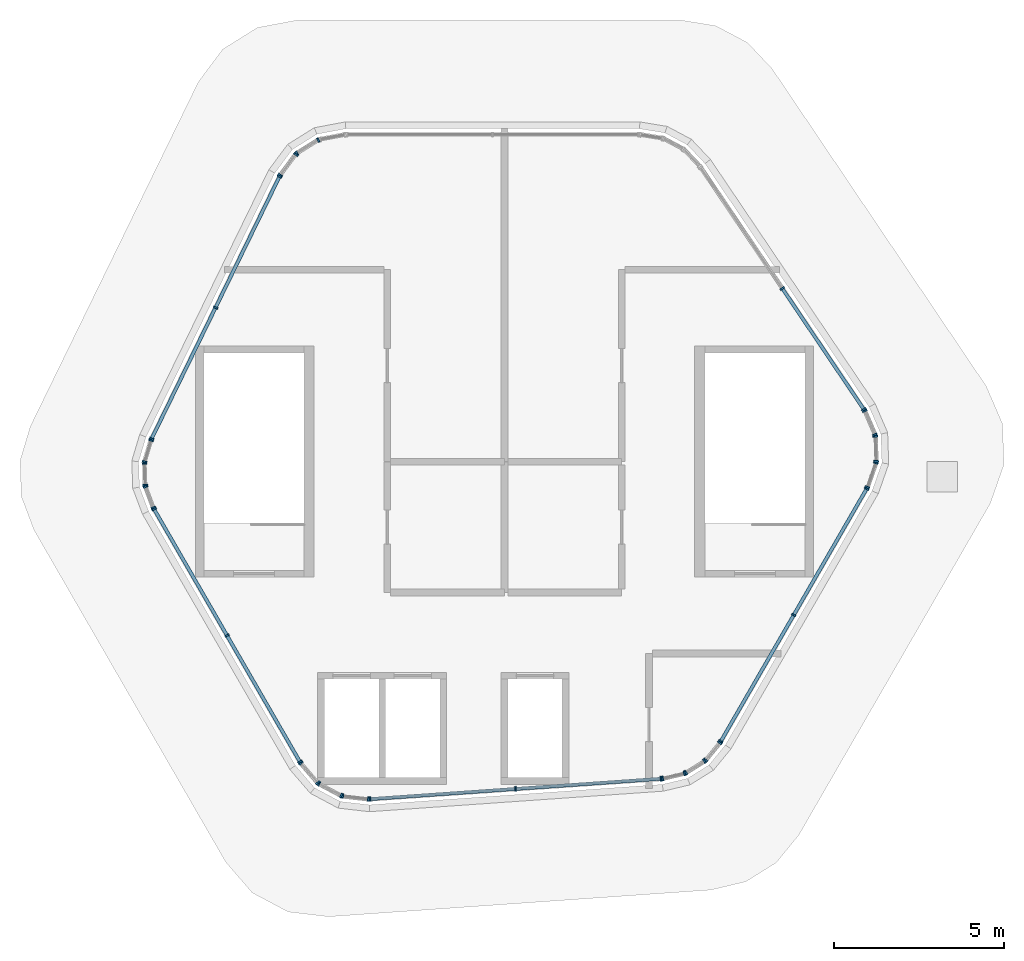
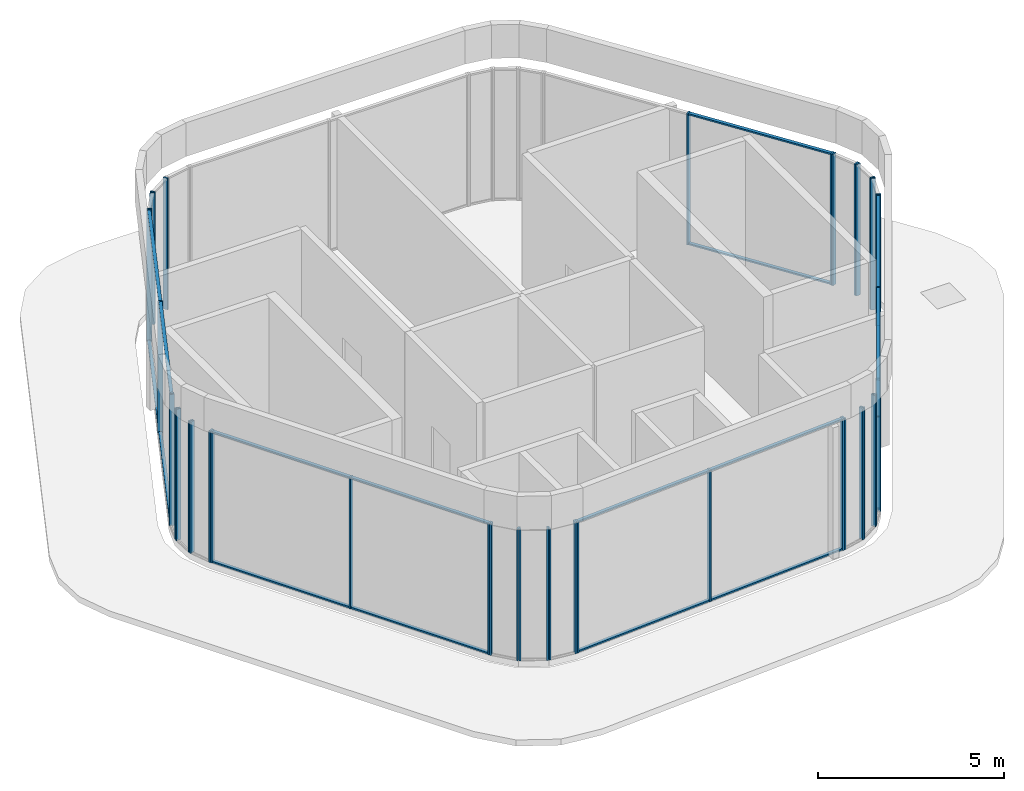
# One storey, part 1 of 6: 60 members, 19 elements without a shape of their own.
"""IFC4 building model written with IfcOpenShell, lengths in metres."""

from ifc_helpers import new_model, si_unit, direction, frame, origin, origin_2d, place, context, subcontext, project, spatial, rectangle, extrude, material, material_profile, profile_set, type_object, element, aggregate, save


model = new_model("IFC4")

# Units and contexts
model_context = context("Model", 3, precision=1e-05, world=origin(), true_north=direction((0.0, 1.0)))
body_context = subcontext(model_context, "Body", "Model", "MODEL_VIEW")
ifc_project = project(units=[si_unit("LENGTHUNIT", "METRE"), si_unit("AREAUNIT", "SQUARE_METRE"), si_unit("VOLUMEUNIT", "CUBIC_METRE"), si_unit("PLANEANGLEUNIT", "RADIAN"), si_unit("MASSUNIT", "GRAM", prefix="KILO")], contexts=[model_context])

# Site, building, storey
site_placement = place(None, origin())
site = spatial("IfcSite", under=ifc_project, at=site_placement, CompositionType="ELEMENT")
building_placement = place(site_placement, origin())
building = spatial("IfcBuilding", under=site, at=building_placement, Name="Tarnside Tower", CompositionType="ELEMENT")
storey_placement = place(building_placement, frame((0.0, 0.0, 406.199951171875)))
storey = spatial("IfcBuildingStorey", under=building, at=storey_placement, Name="L96", CompositionType="ELEMENT", Elevation=406.199951171875)

# Curtain wall, members
ifc_material_1 = material(Name="Crown glazing wall", Category="glass")
curtain_wall_type = type_object("IfcCurtainWallType", Name="Crown glazing wall", PredefinedType="NOTDEFINED", material=ifc_material_1)
curtain_wall_1_placement = place(storey_placement, origin())
curtain_wall_1 = element("IfcCurtainWall", 1, at=curtain_wall_1_placement, inside=storey, type_object=curtain_wall_type, Name="Crown glazing L96 04", PredefinedType="NOTDEFINED")
ifc_material_2 = material(Name="Aluminium alloy 6063", Category="aluminium")
ifc_material_profile_1 = material_profile(ifc_material_2, rectangle(XDim=0.139892578125, YDim=0.050048828125, at=origin_2d()), Name="Crown glazing mullion 50 x 140")
ifc_profile_set_1 = profile_set([ifc_material_profile_1], Name="Aluminium alloy 6063")
member_type_1 = type_object("IfcMemberType", Name="Crown glazing mullion 50 x 140", PredefinedType="MULLION", material=ifc_profile_set_1)
member_1_placement = place(storey_placement, frame((8.17822265625, 5.096435546875, 0.0), z_axis=(0.0, 0.0, 1.0), x_axis=(0.829037572575, 0.559192903442, 0.0)))
member_1 = element("IfcMember", 2, at=member_1_placement, type_object=member_type_1, Name="CW6 mullion 2", PredefinedType="MULLION", context=body_context, shape_type="SweptSolid", body=[
    extrude(rectangle(XDim=0.139892578125, YDim=0.050048828125, at=origin_2d()), origin(), (0.0, 0.0, 1.0), 4.300048828125),
])
member_2_placement = place(storey_placement, frame((10.578857421875, 1.53759765625, 0.0), z_axis=(0.0, 0.0, 1.0), x_axis=(0.829037572575, 0.559192903442, 0.0)))
member_2 = element("IfcMember", 3, at=member_2_placement, type_object=member_type_1, Name="CW6 mullion 3", PredefinedType="MULLION", context=body_context, shape_type="SweptSolid", body=[
    extrude(rectangle(XDim=0.139892578125, YDim=0.050048828125, at=origin_2d()), origin(), (0.0, 0.0, 1.0), 4.300048828125),
])

curtain_wall_2_placement = place(storey_placement, origin())
curtain_wall_2 = element("IfcCurtainWall", 4, at=curtain_wall_2_placement, inside=storey, type_object=curtain_wall_type, Name="Crown glazing L96 05", PredefinedType="NOTDEFINED")
member_3_placement = place(storey_placement, frame((10.602783203125, 1.493896484375, 0.0), z_axis=(0.0, 0.0, 1.0), x_axis=(0.918216107, 0.396079765761, 0.0)))
member_3 = element("IfcMember", 5, at=member_3_placement, type_object=member_type_1, Name="CW6 mullion 1", PredefinedType="MULLION", context=body_context, shape_type="SweptSolid", body=[
    extrude(rectangle(XDim=0.139892578125, YDim=0.050048828125, at=origin_2d()), origin(), (0.0, 0.0, 1.0), 4.300048828125),
])
member_4_placement = place(storey_placement, frame((10.90283203125, 0.7978515625, 0.0), z_axis=(0.0, 0.0, 1.0), x_axis=(0.918216107, 0.396079765761, 0.0)))
member_4 = element("IfcMember", 6, at=member_4_placement, type_object=member_type_1, Name="CW6 mullion 2", PredefinedType="MULLION", context=body_context, shape_type="SweptSolid", body=[
    extrude(rectangle(XDim=0.139892578125, YDim=0.050048828125, at=origin_2d()), origin(), (0.0, 0.0, 1.0), 4.300048828125),
])
aggregate(curtain_wall_2, [member_3, member_4])

curtain_wall_3_placement = place(storey_placement, origin())
curtain_wall_3 = element("IfcCurtainWall", 7, at=curtain_wall_3_placement, inside=storey, type_object=curtain_wall_type, Name="Crown glazing L96 06", PredefinedType="NOTDEFINED")
member_5_placement = place(storey_placement, frame((10.913818359375, 0.749755859375, 0.0), z_axis=(0.0, 0.0, 1.0), x_axis=(0.99939082704, 0.034899496092, 0.0)))
member_5 = element("IfcMember", 8, at=member_5_placement, type_object=member_type_1, Name="CW6 mullion 1", PredefinedType="MULLION", context=body_context, shape_type="SweptSolid", body=[
    extrude(rectangle(XDim=0.139892578125, YDim=0.050048828125, at=origin_2d()), origin(), (0.0, 0.0, 1.0), 4.300048828125),
])
member_6_placement = place(storey_placement, frame((10.939453125, 0.01318359375, 0.0), z_axis=(0.0, 0.0, 1.0), x_axis=(0.99939082704, 0.034899496092, 0.0)))
member_6 = element("IfcMember", 9, at=member_6_placement, type_object=member_type_1, Name="CW6 mullion 2", PredefinedType="MULLION", context=body_context, shape_type="SweptSolid", body=[
    extrude(rectangle(XDim=0.139892578125, YDim=0.050048828125, at=origin_2d()), origin(), (0.0, 0.0, 1.0), 4.300048828125),
])
aggregate(curtain_wall_3, [member_5, member_6])

curtain_wall_4_placement = place(storey_placement, origin())
curtain_wall_4 = element("IfcCurtainWall", 10, at=curtain_wall_4_placement, inside=storey, type_object=curtain_wall_type, Name="Crown glazing L96 07", PredefinedType="NOTDEFINED")
member_7_placement = place(storey_placement, frame((10.93212890625, -0.035400390625, 0.0), z_axis=(0.0, 0.0, 1.0), x_axis=(0.943608506557, -0.331063417418, 0.0)))
member_7 = element("IfcMember", 11, at=member_7_placement, type_object=member_type_1, Name="CW6 mullion 1", PredefinedType="MULLION", context=body_context, shape_type="SweptSolid", body=[
    extrude(rectangle(XDim=0.139892578125, YDim=0.050048828125, at=origin_2d()), origin(), (0.0, 0.0, 1.0), 4.300048828125),
])
member_8_placement = place(storey_placement, frame((10.68115234375, -0.75048828125, 0.0), z_axis=(0.0, 0.0, 1.0), x_axis=(0.943608506557, -0.331063417418, 0.0)))
member_8 = element("IfcMember", 12, at=member_8_placement, type_object=member_type_1, Name="CW6 mullion 2", PredefinedType="MULLION", context=body_context, shape_type="SweptSolid", body=[
    extrude(rectangle(XDim=0.139892578125, YDim=0.050048828125, at=origin_2d()), origin(), (0.0, 0.0, 1.0), 4.300048828125),
])
aggregate(curtain_wall_4, [member_7, member_8])

curtain_wall_5_placement = place(storey_placement, origin())
curtain_wall_5 = element("IfcCurtainWall", 13, at=curtain_wall_5_placement, inside=storey, type_object=curtain_wall_type, Name="Crown glazing L96 08", PredefinedType="NOTDEFINED")
member_9_placement = place(storey_placement, frame((10.660400390625, -0.7958984375, 0.0), z_axis=(0.0, 0.0, 1.0), x_axis=(0.866025403776, -0.500000000015, 0.0)))
member_9 = element("IfcMember", 14, at=member_9_placement, type_object=member_type_1, Name="CW6 mullion 1", PredefinedType="MULLION", context=body_context, shape_type="SweptSolid", body=[
    extrude(rectangle(XDim=0.139892578125, YDim=0.050048828125, at=origin_2d()), origin(), (0.0, 0.0, 1.0), 4.300048828125),
])
member_10_placement = place(storey_placement, frame((8.513916015625, -4.513671875, 0.0), z_axis=(0.0, 0.0, 1.0), x_axis=(0.866025403776, -0.500000000015, 0.0)))
member_10 = element("IfcMember", 15, at=member_10_placement, type_object=member_type_1, Name="CW6 mullion 2", PredefinedType="MULLION", context=body_context, shape_type="SweptSolid", body=[
    extrude(rectangle(XDim=0.139892578125, YDim=0.050048828125, at=origin_2d()), origin(), (0.0, 0.0, 1.0), 4.300048828125),
])
member_11_placement = place(storey_placement, frame((6.367431640625, -8.2314453125, 0.0), z_axis=(0.0, 0.0, 1.0), x_axis=(0.866025403776, -0.500000000015, 0.0)))
member_11 = element("IfcMember", 16, at=member_11_placement, type_object=member_type_1, Name="CW6 mullion 3", PredefinedType="MULLION", context=body_context, shape_type="SweptSolid", body=[
    extrude(rectangle(XDim=0.139892578125, YDim=0.050048828125, at=origin_2d()), origin(), (0.0, 0.0, 1.0), 4.300048828125),
])

curtain_wall_6_placement = place(storey_placement, origin())
curtain_wall_6 = element("IfcCurtainWall", 17, at=curtain_wall_6_placement, inside=storey, type_object=curtain_wall_type, Name="Crown glazing L96 09", PredefinedType="NOTDEFINED")
member_12_placement = place(storey_placement, frame((6.339111328125, -8.272216796875, 0.0), z_axis=(0.0, 0.0, 1.0), x_axis=(0.773471592959, -0.633830967124, 0.0)))
member_12 = element("IfcMember", 18, at=member_12_placement, type_object=member_type_1, Name="CW6 mullion 1", PredefinedType="MULLION", context=body_context, shape_type="SweptSolid", body=[
    extrude(rectangle(XDim=0.139892578125, YDim=0.050048828125, at=origin_2d()), origin(), (0.0, 0.0, 1.0), 4.300048828125),
])
member_13_placement = place(storey_placement, frame((5.921875, -8.781494140625, 0.0), z_axis=(0.0, 0.0, 1.0), x_axis=(0.773471592959, -0.633830967124, 0.0)))
member_13 = element("IfcMember", 19, at=member_13_placement, type_object=member_type_1, Name="CW6 mullion 2", PredefinedType="MULLION", context=body_context, shape_type="SweptSolid", body=[
    extrude(rectangle(XDim=0.139892578125, YDim=0.050048828125, at=origin_2d()), origin(), (0.0, 0.0, 1.0), 4.300048828125),
])
aggregate(curtain_wall_6, [member_12, member_13])

curtain_wall_7_placement = place(storey_placement, origin())
curtain_wall_7 = element("IfcCurtainWall", 20, at=curtain_wall_7_placement, inside=storey, type_object=curtain_wall_type, Name="Crown glazing L96 10", PredefinedType="NOTDEFINED")
member_14_placement = place(storey_placement, frame((5.884765625, -8.81396484375, 0.0), z_axis=(0.0, 0.0, 1.0), x_axis=(0.529919264204, -0.848048096175, 0.0)))
member_14 = element("IfcMember", 21, at=member_14_placement, type_object=member_type_1, Name="CW6 mullion 1", PredefinedType="MULLION", context=body_context, shape_type="SweptSolid", body=[
    extrude(rectangle(XDim=0.139892578125, YDim=0.050048828125, at=origin_2d()), origin(), (0.0, 0.0, 1.0), 4.300048828125),
])
member_15_placement = place(storey_placement, frame((5.34228515625, -9.153076171875, 0.0), z_axis=(0.0, 0.0, 1.0), x_axis=(0.529919264204, -0.848048096175, 0.0)))
member_15 = element("IfcMember", 22, at=member_15_placement, type_object=member_type_1, Name="CW6 mullion 2", PredefinedType="MULLION", context=body_context, shape_type="SweptSolid", body=[
    extrude(rectangle(XDim=0.139892578125, YDim=0.050048828125, at=origin_2d()), origin(), (0.0, 0.0, 1.0), 4.300048828125),
])
aggregate(curtain_wall_7, [member_14, member_15])

curtain_wall_8_placement = place(storey_placement, origin())
curtain_wall_8 = element("IfcCurtainWall", 23, at=curtain_wall_8_placement, inside=storey, type_object=curtain_wall_type, Name="Crown glazing L96 11", PredefinedType="NOTDEFINED")
member_16_placement = place(storey_placement, frame((5.296630859375, -9.172119140625, 0.0), z_axis=(0.0, 0.0, 1.0), x_axis=(0.230615870108, -0.97304487073, 0.0)))
member_16 = element("IfcMember", 24, at=member_16_placement, type_object=member_type_1, Name="CW6 mullion 1", PredefinedType="MULLION", context=body_context, shape_type="SweptSolid", body=[
    extrude(rectangle(XDim=0.139892578125, YDim=0.050048828125, at=origin_2d()), origin(), (0.0, 0.0, 1.0), 4.300048828125),
])
member_17_placement = place(storey_placement, frame((4.65625, -9.323974609375, 0.0), z_axis=(0.0, 0.0, 1.0), x_axis=(0.230615870108, -0.97304487073, 0.0)))
member_17 = element("IfcMember", 25, at=member_17_placement, type_object=member_type_1, Name="CW6 mullion 2", PredefinedType="MULLION", context=body_context, shape_type="SweptSolid", body=[
    extrude(rectangle(XDim=0.139892578125, YDim=0.050048828125, at=origin_2d()), origin(), (0.0, 0.0, 1.0), 4.300048828125),
])
aggregate(curtain_wall_8, [member_16, member_17])

curtain_wall_9_placement = place(storey_placement, origin())
curtain_wall_9 = element("IfcCurtainWall", 26, at=curtain_wall_9_placement, inside=storey, type_object=curtain_wall_type, Name="Crown glazing L96 12", PredefinedType="NOTDEFINED")
member_18_placement = place(storey_placement, frame((4.60693359375, -9.331298828125, 0.0), z_axis=(0.0, 0.0, 1.0), x_axis=(0.069756473779, -0.997564050257, 0.0)))
member_18 = element("IfcMember", 27, at=member_18_placement, type_object=member_type_1, Name="CW6 mullion 1", PredefinedType="MULLION", context=body_context, shape_type="SweptSolid", body=[
    extrude(rectangle(XDim=0.139892578125, YDim=0.050048828125, at=origin_2d()), origin(), (0.0, 0.0, 1.0), 4.300048828125),
])
member_19_placement = place(storey_placement, frame((0.324462890625, -9.630859375, 0.0), z_axis=(0.0, 0.0, 1.0), x_axis=(0.069756473779, -0.997564050257, 0.0)))
member_19 = element("IfcMember", 28, at=member_19_placement, type_object=member_type_1, Name="CW6 mullion 2", PredefinedType="MULLION", context=body_context, shape_type="SweptSolid", body=[
    extrude(rectangle(XDim=0.139892578125, YDim=0.050048828125, at=origin_2d()), origin(), (0.0, 0.0, 1.0), 4.300048828125),
])
member_20_placement = place(storey_placement, frame((-3.9580078125, -9.93017578125, 0.0), z_axis=(0.0, 0.0, 1.0), x_axis=(0.069756473779, -0.997564050257, 0.0)))
member_20 = element("IfcMember", 29, at=member_20_placement, type_object=member_type_1, Name="CW6 mullion 3", PredefinedType="MULLION", context=body_context, shape_type="SweptSolid", body=[
    extrude(rectangle(XDim=0.139892578125, YDim=0.050048828125, at=origin_2d()), origin(), (0.0, 0.0, 1.0), 4.300048828125),
])

curtain_wall_10_placement = place(storey_placement, origin())
curtain_wall_10 = element("IfcCurtainWall", 30, at=curtain_wall_10_placement, inside=storey, type_object=curtain_wall_type, Name="Crown glazing L96 13", PredefinedType="NOTDEFINED")
member_21_placement = place(storey_placement, frame((-4.0078125, -9.92919921875, 0.0), z_axis=(0.0, 0.0, 1.0), x_axis=(-0.116092914235, -0.993238357729, 0.0)))
member_21 = element("IfcMember", 31, at=member_21_placement, type_object=member_type_1, Name="CW6 mullion 1", PredefinedType="MULLION", context=body_context, shape_type="SweptSolid", body=[
    extrude(rectangle(XDim=0.139892578125, YDim=0.050048828125, at=origin_2d()), origin(), (0.0, 0.0, 1.0), 4.300048828125),
])
member_22_placement = place(storey_placement, frame((-4.760498046875, -9.841064453125, 0.0), z_axis=(0.0, 0.0, 1.0), x_axis=(-0.116092914235, -0.993238357729, 0.0)))
member_22 = element("IfcMember", 32, at=member_22_placement, type_object=member_type_1, Name="CW6 mullion 2", PredefinedType="MULLION", context=body_context, shape_type="SweptSolid", body=[
    extrude(rectangle(XDim=0.139892578125, YDim=0.050048828125, at=origin_2d()), origin(), (0.0, 0.0, 1.0), 4.300048828125),
])
aggregate(curtain_wall_10, [member_21, member_22])

curtain_wall_11_placement = place(storey_placement, origin())
curtain_wall_11 = element("IfcCurtainWall", 33, at=curtain_wall_11_placement, inside=storey, type_object=curtain_wall_type, Name="Crown glazing L96 14", PredefinedType="NOTDEFINED")
member_23_placement = place(storey_placement, frame((-4.807373046875, -9.826416015625, 0.0), z_axis=(0.0, 0.0, 1.0), x_axis=(-0.469471562539, -0.88294759299, 0.0)))
member_23 = element("IfcMember", 34, at=member_23_placement, type_object=member_type_1, Name="CW6 mullion 1", PredefinedType="MULLION", context=body_context, shape_type="SweptSolid", body=[
    extrude(rectangle(XDim=0.139892578125, YDim=0.050048828125, at=origin_2d()), origin(), (0.0, 0.0, 1.0), 4.300048828125),
])
member_24_placement = place(storey_placement, frame((-5.458251953125, -9.48046875, 0.0), z_axis=(0.0, 0.0, 1.0), x_axis=(-0.469471562539, -0.88294759299, 0.0)))
member_24 = element("IfcMember", 35, at=member_24_placement, type_object=member_type_1, Name="CW6 mullion 2", PredefinedType="MULLION", context=body_context, shape_type="SweptSolid", body=[
    extrude(rectangle(XDim=0.139892578125, YDim=0.050048828125, at=origin_2d()), origin(), (0.0, 0.0, 1.0), 4.300048828125),
])
aggregate(curtain_wall_11, [member_23, member_24])

curtain_wall_12_placement = place(storey_placement, origin())
curtain_wall_12 = element("IfcCurtainWall", 36, at=curtain_wall_12_placement, inside=storey, type_object=curtain_wall_type, Name="Crown glazing L96 15", PredefinedType="NOTDEFINED")
member_25_placement = place(storey_placement, frame((-5.49658203125, -9.44970703125, 0.0), z_axis=(0.0, 0.0, 1.0), x_axis=(-0.758513583789, -0.65165722831, 0.0)))
member_25 = element("IfcMember", 37, at=member_25_placement, type_object=member_type_1, Name="CW6 mullion 1", PredefinedType="MULLION", context=body_context, shape_type="SweptSolid", body=[
    extrude(rectangle(XDim=0.139892578125, YDim=0.050048828125, at=origin_2d()), origin(), (0.0, 0.0, 1.0), 4.300048828125),
])
member_26_placement = place(storey_placement, frame((-5.990478515625, -8.874755859375, 0.0), z_axis=(0.0, 0.0, 1.0), x_axis=(-0.758513583789, -0.65165722831, 0.0)))
member_26 = element("IfcMember", 38, at=member_26_placement, type_object=member_type_1, Name="CW6 mullion 2", PredefinedType="MULLION", context=body_context, shape_type="SweptSolid", body=[
    extrude(rectangle(XDim=0.139892578125, YDim=0.050048828125, at=origin_2d()), origin(), (0.0, 0.0, 1.0), 4.300048828125),
])
aggregate(curtain_wall_12, [member_25, member_26])

curtain_wall_13_placement = place(storey_placement, origin())
curtain_wall_13 = element("IfcCurtainWall", 39, at=curtain_wall_13_placement, inside=storey, type_object=curtain_wall_type, Name="Crown glazing L96 16", PredefinedType="NOTDEFINED")
member_27_placement = place(storey_placement, frame((-6.019287109375, -8.834228515625, 0.0), z_axis=(0.0, 0.0, 1.0), x_axis=(-0.866025403776, -0.500000000015, 0.0)))
member_27 = element("IfcMember", 40, at=member_27_placement, type_object=member_type_1, Name="CW6 mullion 1", PredefinedType="MULLION", context=body_context, shape_type="SweptSolid", body=[
    extrude(rectangle(XDim=0.139892578125, YDim=0.050048828125, at=origin_2d()), origin(), (0.0, 0.0, 1.0), 4.300048828125),
])
member_28_placement = place(storey_placement, frame((-8.165771484375, -5.116455078125, 0.0), z_axis=(0.0, 0.0, 1.0), x_axis=(-0.866025403776, -0.500000000015, 0.0)))
member_28 = element("IfcMember", 41, at=member_28_placement, type_object=member_type_1, Name="CW6 mullion 2", PredefinedType="MULLION", context=body_context, shape_type="SweptSolid", body=[
    extrude(rectangle(XDim=0.139892578125, YDim=0.050048828125, at=origin_2d()), origin(), (0.0, 0.0, 1.0), 4.300048828125),
])
member_29_placement = place(storey_placement, frame((-10.312255859375, -1.398681640625, 0.0), z_axis=(0.0, 0.0, 1.0), x_axis=(-0.866025403776, -0.500000000015, 0.0)))
member_29 = element("IfcMember", 42, at=member_29_placement, type_object=member_type_1, Name="CW6 mullion 3", PredefinedType="MULLION", context=body_context, shape_type="SweptSolid", body=[
    extrude(rectangle(XDim=0.139892578125, YDim=0.050048828125, at=origin_2d()), origin(), (0.0, 0.0, 1.0), 4.300048828125),
])

curtain_wall_14_placement = place(storey_placement, origin())
curtain_wall_14 = element("IfcCurtainWall", 43, at=curtain_wall_14_placement, inside=storey, type_object=curtain_wall_type, Name="Crown glazing L96 17", PredefinedType="NOTDEFINED")
member_30_placement = place(storey_placement, frame((-10.33349609375, -1.353515625, 0.0), z_axis=(0.0, 0.0, 1.0), x_axis=(-0.935649515782, -0.352930564866, 0.0)))
member_30 = element("IfcMember", 44, at=member_30_placement, type_object=member_type_1, Name="CW6 mullion 1", PredefinedType="MULLION", context=body_context, shape_type="SweptSolid", body=[
    extrude(rectangle(XDim=0.139892578125, YDim=0.050048828125, at=origin_2d()), origin(), (0.0, 0.0, 1.0), 4.300048828125),
])
member_31_placement = place(storey_placement, frame((-10.56591796875, -0.73779296875, 0.0), z_axis=(0.0, 0.0, 1.0), x_axis=(-0.935649515782, -0.352930564866, 0.0)))
member_31 = element("IfcMember", 45, at=member_31_placement, type_object=member_type_1, Name="CW6 mullion 2", PredefinedType="MULLION", context=body_context, shape_type="SweptSolid", body=[
    extrude(rectangle(XDim=0.139892578125, YDim=0.050048828125, at=origin_2d()), origin(), (0.0, 0.0, 1.0), 4.300048828125),
])
aggregate(curtain_wall_14, [member_30, member_31])

curtain_wall_15_placement = place(storey_placement, origin())
curtain_wall_15 = element("IfcCurtainWall", 46, at=curtain_wall_15_placement, inside=storey, type_object=curtain_wall_type, Name="Crown glazing L96 18", PredefinedType="NOTDEFINED")
member_32_placement = place(storey_placement, frame((-10.575439453125, -0.689453125, 0.0), z_axis=(0.0, 0.0, 1.0), x_axis=(-0.999390827011, -0.034899496929, 0.0)))
member_32 = element("IfcMember", 47, at=member_32_placement, type_object=member_type_1, Name="CW6 mullion 1", PredefinedType="MULLION", context=body_context, shape_type="SweptSolid", body=[
    extrude(rectangle(XDim=0.139892578125, YDim=0.050048828125, at=origin_2d()), origin(), (0.0, 0.0, 1.0), 4.300048828125),
])
member_33_placement = place(storey_placement, frame((-10.597900390625, -0.050048828125, 0.0), z_axis=(0.0, 0.0, 1.0), x_axis=(-0.999390827011, -0.034899496929, 0.0)))
member_33 = element("IfcMember", 48, at=member_33_placement, type_object=member_type_1, Name="CW6 mullion 2", PredefinedType="MULLION", context=body_context, shape_type="SweptSolid", body=[
    extrude(rectangle(XDim=0.139892578125, YDim=0.050048828125, at=origin_2d()), origin(), (0.0, 0.0, 1.0), 4.300048828125),
])
aggregate(curtain_wall_15, [member_32, member_33])

curtain_wall_16_placement = place(storey_placement, origin())
curtain_wall_16 = element("IfcCurtainWall", 49, at=curtain_wall_16_placement, inside=storey, type_object=curtain_wall_type, Name="Crown glazing L96 19", PredefinedType="NOTDEFINED")
member_34_placement = place(storey_placement, frame((-10.591552734375, -0.0009765625, 0.0), z_axis=(0.0, 0.0, 1.0), x_axis=(-0.957989512324, 0.286803232683, 0.0)))
member_34 = element("IfcMember", 50, at=member_34_placement, type_object=member_type_1, Name="CW6 mullion 1", PredefinedType="MULLION", context=body_context, shape_type="SweptSolid", body=[
    extrude(rectangle(XDim=0.139892578125, YDim=0.050048828125, at=origin_2d()), origin(), (0.0, 0.0, 1.0), 4.300048828125),
])
member_35_placement = place(storey_placement, frame((-10.40283203125, 0.62939453125, 0.0), z_axis=(0.0, 0.0, 1.0), x_axis=(-0.957989512324, 0.286803232683, 0.0)))
member_35 = element("IfcMember", 51, at=member_35_placement, type_object=member_type_1, Name="CW6 mullion 2", PredefinedType="MULLION", context=body_context, shape_type="SweptSolid", body=[
    extrude(rectangle(XDim=0.139892578125, YDim=0.050048828125, at=origin_2d()), origin(), (0.0, 0.0, 1.0), 4.300048828125),
])
aggregate(curtain_wall_16, [member_34, member_35])

curtain_wall_17_placement = place(storey_placement, origin())
curtain_wall_17 = element("IfcCurtainWall", 52, at=curtain_wall_17_placement, inside=storey, type_object=curtain_wall_type, Name="Crown glazing L96 20", PredefinedType="NOTDEFINED")
member_36_placement = place(storey_placement, frame((-10.384765625, 0.67578125, 0.0), z_axis=(0.0, 0.0, 1.0), x_axis=(-0.898794046284, 0.43837114682, 0.0)))
member_36 = element("IfcMember", 53, at=member_36_placement, type_object=member_type_1, Name="CW6 mullion 1", PredefinedType="MULLION", context=body_context, shape_type="SweptSolid", body=[
    extrude(rectangle(XDim=0.139892578125, YDim=0.050048828125, at=origin_2d()), origin(), (0.0, 0.0, 1.0), 4.300048828125),
])
member_37_placement = place(storey_placement, frame((-8.502685546875, 4.534423828125, 0.0), z_axis=(0.0, 0.0, 1.0), x_axis=(-0.898794046284, 0.43837114682, 0.0)))
member_37 = element("IfcMember", 54, at=member_37_placement, type_object=member_type_1, Name="CW6 mullion 2", PredefinedType="MULLION", context=body_context, shape_type="SweptSolid", body=[
    extrude(rectangle(XDim=0.139892578125, YDim=0.050048828125, at=origin_2d()), origin(), (0.0, 0.0, 1.0), 4.300048828125),
])
member_38_placement = place(storey_placement, frame((-6.620849609375, 8.392822265625, 0.0), z_axis=(0.0, 0.0, 1.0), x_axis=(-0.898794046284, 0.43837114682, 0.0)))
member_38 = element("IfcMember", 55, at=member_38_placement, type_object=member_type_1, Name="CW6 mullion 3", PredefinedType="MULLION", context=body_context, shape_type="SweptSolid", body=[
    extrude(rectangle(XDim=0.139892578125, YDim=0.050048828125, at=origin_2d()), origin(), (0.0, 0.0, 1.0), 4.300048828125),
])

curtain_wall_18_placement = place(storey_placement, origin())
curtain_wall_18 = element("IfcCurtainWall", 56, at=curtain_wall_18_placement, inside=storey, type_object=curtain_wall_type, Name="Crown glazing L96 21", PredefinedType="NOTDEFINED")
member_39_placement = place(storey_placement, frame((-6.594970703125, 8.435302734375, 0.0), z_axis=(0.0, 0.0, 1.0), x_axis=(-0.802123192887, 0.597158591525, 0.0)))
member_39 = element("IfcMember", 57, at=member_39_placement, type_object=member_type_1, Name="CW6 mullion 1", PredefinedType="MULLION", context=body_context, shape_type="SweptSolid", body=[
    extrude(rectangle(XDim=0.139892578125, YDim=0.050048828125, at=origin_2d()), origin(), (0.0, 0.0, 1.0), 4.300048828125),
])
member_40_placement = place(storey_placement, frame((-6.142333984375, 9.043212890625, 0.0), z_axis=(0.0, 0.0, 1.0), x_axis=(-0.802123192887, 0.597158591525, 0.0)))
member_40 = element("IfcMember", 58, at=member_40_placement, type_object=member_type_1, Name="CW6 mullion 2", PredefinedType="MULLION", context=body_context, shape_type="SweptSolid", body=[
    extrude(rectangle(XDim=0.139892578125, YDim=0.050048828125, at=origin_2d()), origin(), (0.0, 0.0, 1.0), 4.300048828125),
])
aggregate(curtain_wall_18, [member_39, member_40])

curtain_wall_19_placement = place(storey_placement, origin())
curtain_wall_19 = element("IfcCurtainWall", 59, at=curtain_wall_19_placement, inside=storey, type_object=curtain_wall_type, Name="Crown glazing L96 22", PredefinedType="NOTDEFINED")
member_41_placement = place(storey_placement, frame((-6.106201171875, 9.07666015625, 0.0), z_axis=(0.0, 0.0, 1.0), x_axis=(-0.529919263878, 0.848048096378, 0.0)))
member_41 = element("IfcMember", 60, at=member_41_placement, type_object=member_type_1, Name="CW6 mullion 1", PredefinedType="MULLION", context=body_context, shape_type="SweptSolid", body=[
    extrude(rectangle(XDim=0.139892578125, YDim=0.050048828125, at=origin_2d()), origin(), (0.0, 0.0, 1.0), 4.300048828125),
])
member_42_placement = place(storey_placement, frame((-5.481201171875, 9.46728515625, 0.0), z_axis=(0.0, 0.0, 1.0), x_axis=(-0.529919263878, 0.848048096378, 0.0)))
member_42 = element("IfcMember", 61, at=member_42_placement, type_object=member_type_1, Name="CW6 mullion 2", PredefinedType="MULLION", context=body_context, shape_type="SweptSolid", body=[
    extrude(rectangle(XDim=0.139892578125, YDim=0.050048828125, at=origin_2d()), origin(), (0.0, 0.0, 1.0), 4.300048828125),
])
aggregate(curtain_wall_19, [member_41, member_42])

# Member
ifc_material_profile_2 = material_profile(ifc_material_2, rectangle(XDim=0.10009765625, YDim=0.050048828125, at=origin_2d()), Name="Crown glazing transom 50 x 100")
ifc_profile_set_2 = profile_set([ifc_material_profile_2], Name="Aluminium alloy 6063")
member_type_2 = type_object("IfcMemberType", Name="Crown glazing transom 50 x 100", PredefinedType="USERDEFINED", material=ifc_profile_set_2)
member_43_placement = place(storey_placement, frame((8.192138671875, 5.07568359375, 0.025146484375), z_axis=(0.559219845869, -0.829019399041, 0.0), x_axis=(0.829019399041, 0.559219845869, 0.0)))
member_43 = element("IfcMember", 62, at=member_43_placement, type_object=member_type_2, Name="CW6 transom 2.1", ObjectType="TRANSOM", PredefinedType="USERDEFINED", context=body_context, shape_type="SweptSolid", body=[
    extrude(rectangle(XDim=0.10009765625, YDim=0.050048828125, at=origin_2d()), origin(), (0.0, 0.0, 1.0), 4.2431640625),
])

member_44_placement = place(storey_placement, frame((8.192138671875, 5.07568359375, 4.275146484375), z_axis=(0.559219845869, -0.829019399041, 0.0), x_axis=(0.829019399041, 0.559219845869, 0.0)))
member_44 = element("IfcMember", 63, at=member_44_placement, type_object=member_type_2, Name="CW6 transom 2.2", ObjectType="TRANSOM", PredefinedType="USERDEFINED", context=body_context, shape_type="SweptSolid", body=[
    extrude(rectangle(XDim=0.10009765625, YDim=0.050048828125, at=origin_2d()), origin(), (0.0, 0.0, 1.0), 4.2431640625),
])

aggregate(curtain_wall_1, [member_1, member_2, member_43, member_44])

member_45_placement = place(storey_placement, frame((10.647705078125, -0.8173828125, 0.025146484375), z_axis=(-0.499969838311, -0.866042816943, 0.0), x_axis=(0.866042816943, -0.499969838311, 0.0)))
member_45 = element("IfcMember", 64, at=member_45_placement, type_object=member_type_2, Name="CW6 transom 1.1", ObjectType="TRANSOM", PredefinedType="USERDEFINED", context=body_context, shape_type="SweptSolid", body=[
    extrude(rectangle(XDim=0.10009765625, YDim=0.050048828125, at=origin_2d()), origin(), (0.0, 0.0, 1.0), 4.242919921875),
])

member_46_placement = place(storey_placement, frame((10.647705078125, -0.8173828125, 4.275146484375), z_axis=(-0.499969838311, -0.866042816943, 0.0), x_axis=(0.866042816943, -0.499969838311, 0.0)))
member_46 = element("IfcMember", 65, at=member_46_placement, type_object=member_type_2, Name="CW6 transom 1.2", ObjectType="TRANSOM", PredefinedType="USERDEFINED", context=body_context, shape_type="SweptSolid", body=[
    extrude(rectangle(XDim=0.10009765625, YDim=0.050048828125, at=origin_2d()), origin(), (0.0, 0.0, 1.0), 4.242919921875),
])

member_47_placement = place(storey_placement, frame((8.50146484375, -4.53515625, 0.025146484375), z_axis=(-0.500012993597, -0.866017901798, 0.0), x_axis=(0.866017901798, -0.500012993597, 0.0)))
member_47 = element("IfcMember", 66, at=member_47_placement, type_object=member_type_2, Name="CW6 transom 2.1", ObjectType="TRANSOM", PredefinedType="USERDEFINED", context=body_context, shape_type="SweptSolid", body=[
    extrude(rectangle(XDim=0.10009765625, YDim=0.050048828125, at=origin_2d()), origin(), (0.0, 0.0, 1.0), 4.2431640625),
])

member_48_placement = place(storey_placement, frame((8.50146484375, -4.53515625, 4.275146484375), z_axis=(-0.500012993597, -0.866017901798, 0.0), x_axis=(0.866017901798, -0.500012993597, 0.0)))
member_48 = element("IfcMember", 67, at=member_48_placement, type_object=member_type_2, Name="CW6 transom 2.2", ObjectType="TRANSOM", PredefinedType="USERDEFINED", context=body_context, shape_type="SweptSolid", body=[
    extrude(rectangle(XDim=0.10009765625, YDim=0.050048828125, at=origin_2d()), origin(), (0.0, 0.0, 1.0), 4.2431640625),
])

aggregate(curtain_wall_5, [member_9, member_10, member_11, member_45, member_46, member_47, member_48])

member_49_placement = place(storey_placement, frame((4.58203125, -9.3330078125, 0.025146484375), z_axis=(-0.997561331361, -0.069795344924, 0.0), x_axis=(0.069795344924, -0.997561331361, 0.0)))
member_49 = element("IfcMember", 68, at=member_49_placement, type_object=member_type_2, Name="CW6 transom 1.1", ObjectType="TRANSOM", PredefinedType="USERDEFINED", context=body_context, shape_type="SweptSolid", body=[
    extrude(rectangle(XDim=0.10009765625, YDim=0.050048828125, at=origin_2d()), origin(), (0.0, 0.0, 1.0), 4.242919921875),
])

member_50_placement = place(storey_placement, frame((4.58203125, -9.3330078125, 4.275146484375), z_axis=(-0.997561331361, -0.069795344924, 0.0), x_axis=(0.069795344924, -0.997561331361, 0.0)))
member_50 = element("IfcMember", 69, at=member_50_placement, type_object=member_type_2, Name="CW6 transom 1.2", ObjectType="TRANSOM", PredefinedType="USERDEFINED", context=body_context, shape_type="SweptSolid", body=[
    extrude(rectangle(XDim=0.10009765625, YDim=0.050048828125, at=origin_2d()), origin(), (0.0, 0.0, 1.0), 4.242919921875),
])

member_51_placement = place(storey_placement, frame((0.299560546875, -9.632568359375, 0.025146484375), z_axis=(-0.997565056063, -0.069742088599, 0.0), x_axis=(0.069742088599, -0.997565056063, 0.0)))
member_51 = element("IfcMember", 70, at=member_51_placement, type_object=member_type_2, Name="CW6 transom 2.1", ObjectType="TRANSOM", PredefinedType="USERDEFINED", context=body_context, shape_type="SweptSolid", body=[
    extrude(rectangle(XDim=0.10009765625, YDim=0.050048828125, at=origin_2d()), origin(), (0.0, 0.0, 1.0), 4.24267578125),
])

member_52_placement = place(storey_placement, frame((0.299560546875, -9.632568359375, 4.275146484375), z_axis=(-0.997565056063, -0.069742088599, 0.0), x_axis=(0.069742088599, -0.997565056063, 0.0)))
member_52 = element("IfcMember", 71, at=member_52_placement, type_object=member_type_2, Name="CW6 transom 2.2", ObjectType="TRANSOM", PredefinedType="USERDEFINED", context=body_context, shape_type="SweptSolid", body=[
    extrude(rectangle(XDim=0.10009765625, YDim=0.050048828125, at=origin_2d()), origin(), (0.0, 0.0, 1.0), 4.24267578125),
])

aggregate(curtain_wall_9, [member_18, member_19, member_20, member_49, member_50, member_51, member_52])

member_53_placement = place(storey_placement, frame((-6.03173828125, -8.8125, 0.025146484375), z_axis=(-0.500037910135, 0.866003515251, 0.0), x_axis=(-0.866003515251, -0.500037910135, 0.0)))
member_53 = element("IfcMember", 72, at=member_53_placement, type_object=member_type_2, Name="CW6 transom 1.1", ObjectType="TRANSOM", PredefinedType="USERDEFINED", context=body_context, shape_type="SweptSolid", body=[
    extrude(rectangle(XDim=0.10009765625, YDim=0.050048828125, at=origin_2d()), origin(), (0.0, 0.0, 1.0), 4.242919921875),
])

member_54_placement = place(storey_placement, frame((-6.03173828125, -8.8125, 4.275146484375), z_axis=(-0.500037910135, 0.866003515251, 0.0), x_axis=(-0.866003515251, -0.500037910135, 0.0)))
member_54 = element("IfcMember", 73, at=member_54_placement, type_object=member_type_2, Name="CW6 transom 1.2", ObjectType="TRANSOM", PredefinedType="USERDEFINED", context=body_context, shape_type="SweptSolid", body=[
    extrude(rectangle(XDim=0.10009765625, YDim=0.050048828125, at=origin_2d()), origin(), (0.0, 0.0, 1.0), 4.242919921875),
])

member_55_placement = place(storey_placement, frame((-8.17822265625, -5.0947265625, 0.025146484375), z_axis=(-0.500037910135, 0.866003515251, 0.0), x_axis=(-0.866003515251, -0.500037910135, 0.0)))
member_55 = element("IfcMember", 74, at=member_55_placement, type_object=member_type_2, Name="CW6 transom 2.1", ObjectType="TRANSOM", PredefinedType="USERDEFINED", context=body_context, shape_type="SweptSolid", body=[
    extrude(rectangle(XDim=0.10009765625, YDim=0.050048828125, at=origin_2d()), origin(), (0.0, 0.0, 1.0), 4.242919921875),
])

member_56_placement = place(storey_placement, frame((-8.17822265625, -5.0947265625, 4.275146484375), z_axis=(-0.500037910135, 0.866003515251, 0.0), x_axis=(-0.866003515251, -0.500037910135, 0.0)))
member_56 = element("IfcMember", 75, at=member_56_placement, type_object=member_type_2, Name="CW6 transom 2.2", ObjectType="TRANSOM", PredefinedType="USERDEFINED", context=body_context, shape_type="SweptSolid", body=[
    extrude(rectangle(XDim=0.10009765625, YDim=0.050048828125, at=origin_2d()), origin(), (0.0, 0.0, 1.0), 4.242919921875),
])

aggregate(curtain_wall_13, [member_27, member_28, member_29, member_53, member_54, member_55, member_56])

member_57_placement = place(storey_placement, frame((-10.373779296875, 0.698486328125, 0.025146484375), z_axis=(0.438399824934, 0.898780058467, 0.0), x_axis=(-0.898780058467, 0.438399824934, 0.0)))
member_57 = element("IfcMember", 76, at=member_57_placement, type_object=member_type_2, Name="CW6 transom 1.1", ObjectType="TRANSOM", PredefinedType="USERDEFINED", context=body_context, shape_type="SweptSolid", body=[
    extrude(rectangle(XDim=0.10009765625, YDim=0.050048828125, at=origin_2d()), origin(), (0.0, 0.0, 1.0), 4.242919921875),
])

member_58_placement = place(storey_placement, frame((-10.373779296875, 0.698486328125, 4.275146484375), z_axis=(0.438399824934, 0.898780058467, 0.0), x_axis=(-0.898780058467, 0.438399824934, 0.0)))
member_58 = element("IfcMember", 77, at=member_58_placement, type_object=member_type_2, Name="CW6 transom 1.2", ObjectType="TRANSOM", PredefinedType="USERDEFINED", context=body_context, shape_type="SweptSolid", body=[
    extrude(rectangle(XDim=0.10009765625, YDim=0.050048828125, at=origin_2d()), origin(), (0.0, 0.0, 1.0), 4.242919921875),
])

member_59_placement = place(storey_placement, frame((-8.491943359375, 4.556884765625, 0.025146484375), z_axis=(0.438399824934, 0.898780058467, 0.0), x_axis=(-0.898780058467, 0.438399824934, 0.0)))
member_59 = element("IfcMember", 78, at=member_59_placement, type_object=member_type_2, Name="CW6 transom 2.1", ObjectType="TRANSOM", PredefinedType="USERDEFINED", context=body_context, shape_type="SweptSolid", body=[
    extrude(rectangle(XDim=0.10009765625, YDim=0.050048828125, at=origin_2d()), origin(), (0.0, 0.0, 1.0), 4.242919921875),
])

member_60_placement = place(storey_placement, frame((-8.491943359375, 4.556884765625, 4.275146484375), z_axis=(0.438399824934, 0.898780058467, 0.0), x_axis=(-0.898780058467, 0.438399824934, 0.0)))
member_60 = element("IfcMember", 79, at=member_60_placement, type_object=member_type_2, Name="CW6 transom 2.2", ObjectType="TRANSOM", PredefinedType="USERDEFINED", context=body_context, shape_type="SweptSolid", body=[
    extrude(rectangle(XDim=0.10009765625, YDim=0.050048828125, at=origin_2d()), origin(), (0.0, 0.0, 1.0), 4.242919921875),
])

aggregate(curtain_wall_17, [member_36, member_37, member_38, member_57, member_58, member_59, member_60])

save(model, "model.ifc")
